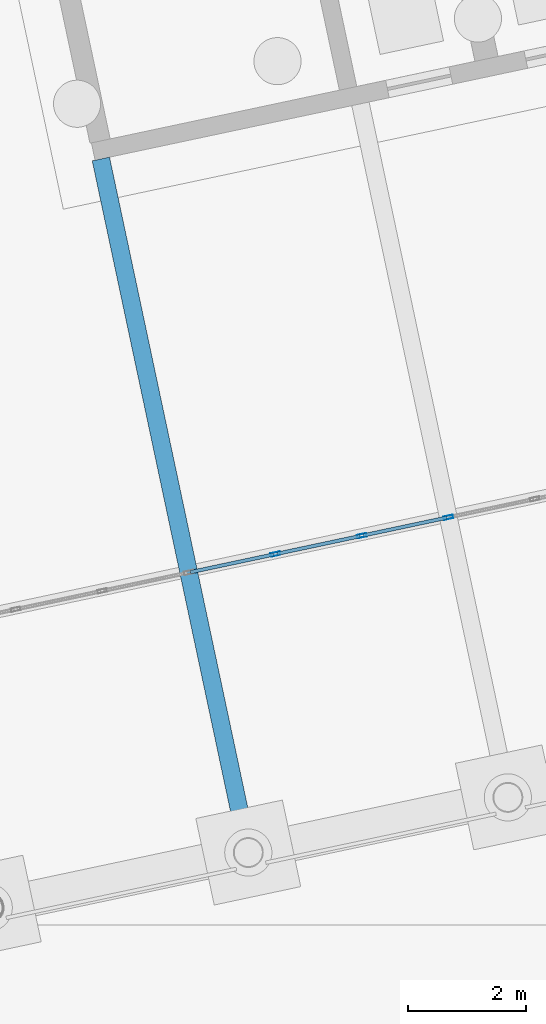
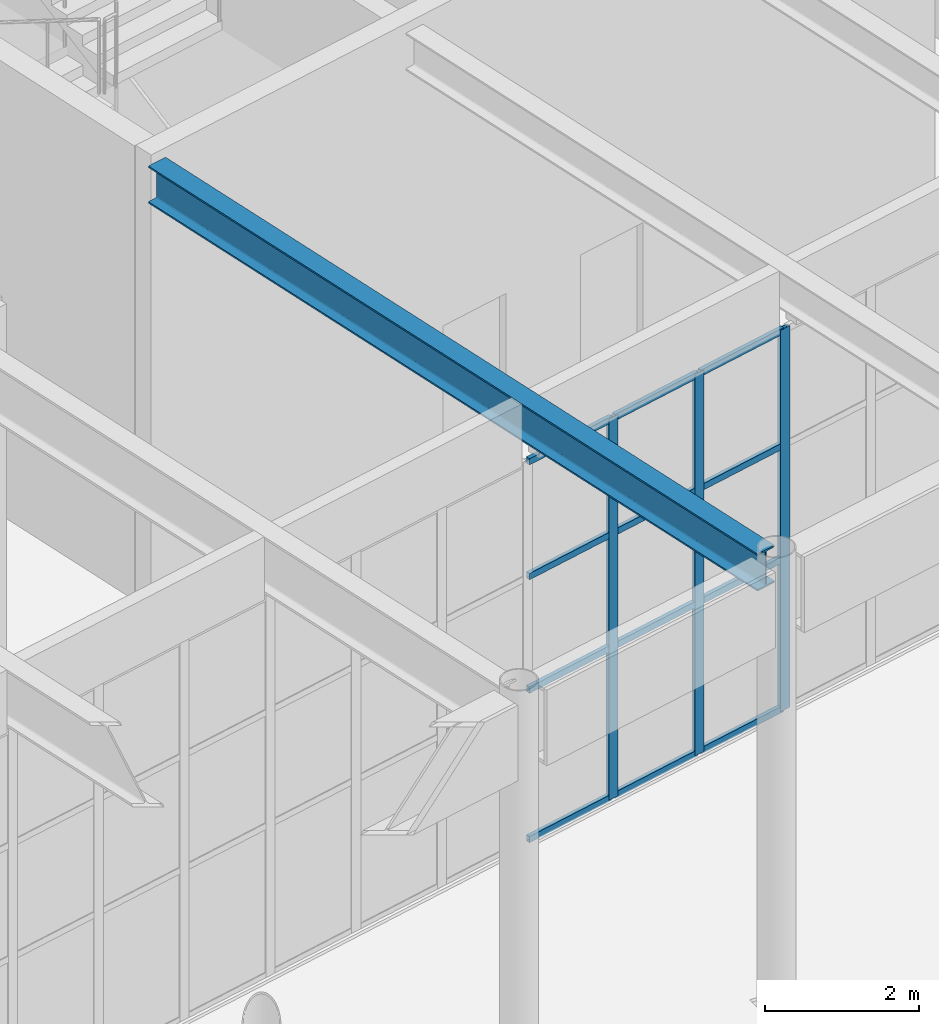
# One storey, part 61 of 239: 15 members, 1 beam, 1 element without a shape of its own.
"""IFC4 building model written with IfcOpenShell, lengths in metres."""

from ifc_helpers import new_model, si_unit, direction, frame, origin, origin_2d, place, context, subcontext, project, spatial, hollow_rectangle, i_section, extrude, material, material_profile, profile_set, type_object, element, aggregate, save


model = new_model("IFC4")

# Units and contexts
model_context = context("Model", 3, precision=1e-05, world=origin(), true_north=direction((0.0, 1.0)))
body_context = subcontext(model_context, "Body", "Model", "MODEL_VIEW")
ifc_project = project(units=[si_unit("LENGTHUNIT", "METRE"), si_unit("AREAUNIT", "SQUARE_METRE"), si_unit("VOLUMEUNIT", "CUBIC_METRE"), si_unit("PLANEANGLEUNIT", "RADIAN"), si_unit("MASSUNIT", "GRAM", prefix="KILO")], contexts=[model_context])

# Site, building, storey
site_placement = place(None, origin())
site = spatial("IfcSite", under=ifc_project, at=site_placement, CompositionType="ELEMENT")
building_placement = place(site_placement, origin())
building = spatial("IfcBuilding", under=site, at=building_placement, Name="Okhra Congress Centre", CompositionType="ELEMENT")
storey_placement = place(building_placement, origin())
storey = spatial("IfcBuildingStorey", under=building, at=storey_placement, Name="L00", CompositionType="ELEMENT", Elevation=0.0)

# Curtain wall, members
ifc_material_1 = material(Name="Aluminium curtain wall, triple glazing", Category="aluminium")
curtain_wall_type = type_object("IfcCurtainWallType", Name="Curtain wall 1500 module", PredefinedType="NOTDEFINED", material=ifc_material_1)
curtain_wall_placement = place(storey_placement, origin())
curtain_wall = element("IfcCurtainWall", 1, at=curtain_wall_placement, inside=storey, type_object=curtain_wall_type, Name="Ground curtain wall S2", PredefinedType="NOTDEFINED")
ifc_material_2 = material(Name="Aluminium alloy EN AW-6063 T66", Category="aluminium")
ifc_material_profile_1 = material_profile(ifc_material_2, hollow_rectangle(XDim=0.06005859375, YDim=0.159912109375, WallThickness=0.00390625, at=origin_2d()), Name="RHS 60x160x4")
ifc_profile_set_1 = profile_set([ifc_material_profile_1], Name="Aluminium alloy EN AW-6063 T66")
member_type_1 = type_object("IfcMemberType", Name="Curtain wall mullion 60x160", PredefinedType="MULLION", material=ifc_profile_set_1)
member_1_placement = place(storey_placement, frame((101.083740234375, 40.29052734375, 0.0), z_axis=(0.0, 0.0, 1.0), x_axis=(-0.207911690818, 0.978147600734, 0.0)))
member_1 = element("IfcMember", 2, at=member_1_placement, type_object=member_type_1, Name="CW7 mullion 9", PredefinedType="MULLION", context=body_context, shape_type="SweptSolid", body=[
    extrude(hollow_rectangle(XDim=0.06005859375, YDim=0.159912109375, WallThickness=0.00390625, at=origin_2d()), origin(), (0.0, 0.0, 1.0), 6.050048828125),
])
member_2_placement = place(storey_placement, frame((102.551025390625, 40.602294921875, 0.0), z_axis=(0.0, 0.0, 1.0), x_axis=(-0.207911690818, 0.978147600734, 0.0)))
member_2 = element("IfcMember", 3, at=member_2_placement, type_object=member_type_1, Name="CW7 mullion 10", PredefinedType="MULLION", context=body_context, shape_type="SweptSolid", body=[
    extrude(hollow_rectangle(XDim=0.06005859375, YDim=0.159912109375, WallThickness=0.00390625, at=origin_2d()), origin(), (0.0, 0.0, 1.0), 6.050048828125),
])
member_3_placement = place(storey_placement, frame((104.018310546875, 40.9140625, 0.0), z_axis=(0.0, 0.0, 1.0), x_axis=(-0.207911690818, 0.978147600734, 0.0)))
member_3 = element("IfcMember", 4, at=member_3_placement, type_object=member_type_1, Name="CW7 mullion 11", PredefinedType="MULLION", context=body_context, shape_type="SweptSolid", body=[
    extrude(hollow_rectangle(XDim=0.06005859375, YDim=0.159912109375, WallThickness=0.00390625, at=origin_2d()), origin(), (0.0, 0.0, 1.0), 6.050048828125),
])
ifc_material_profile_2 = material_profile(ifc_material_2, hollow_rectangle(XDim=0.06005859375, YDim=0.10009765625, WallThickness=0.00390625, at=origin_2d()), Name="RHS 60x100x4")
ifc_profile_set_2 = profile_set([ifc_material_profile_2], Name="Aluminium alloy EN AW-6063 T66")
member_type_2 = type_object("IfcMemberType", Name="Curtain wall transom 60x100", PredefinedType="USERDEFINED", material=ifc_profile_set_2)
member_4_placement = place(storey_placement, frame((99.64599609375, 39.98486328125, 0.030029296875), z_axis=(0.978155834385, 0.207872950764, 0.0), x_axis=(-0.207872950764, 0.978155834385, 0.0)))
member_4 = element("IfcMember", 5, at=member_4_placement, type_object=member_type_2, Name="CW7 transom 8.1", ObjectType="TRANSOM", PredefinedType="USERDEFINED", context=body_context, shape_type="SweptSolid", body=[
    extrude(hollow_rectangle(XDim=0.06005859375, YDim=0.10009765625, WallThickness=0.00390625, at=origin_2d()), origin(), (0.0, 0.0, 1.0), 1.43994140625),
])
member_5_placement = place(storey_placement, frame((99.64599609375, 39.98486328125, 2.39990234375), z_axis=(0.978155834385, 0.207872950764, 0.0), x_axis=(-0.207872950764, 0.978155834385, 0.0)))
member_5 = element("IfcMember", 6, at=member_5_placement, type_object=member_type_2, Name="CW7 transom 8.2", ObjectType="TRANSOM", PredefinedType="USERDEFINED", context=body_context, shape_type="SweptSolid", body=[
    extrude(hollow_rectangle(XDim=0.06005859375, YDim=0.10009765625, WallThickness=0.00390625, at=origin_2d()), origin(), (0.0, 0.0, 1.0), 1.43994140625),
])
member_6_placement = place(storey_placement, frame((99.64599609375, 39.98486328125, 4.199951171875), z_axis=(0.978155834385, 0.207872950764, 0.0), x_axis=(-0.207872950764, 0.978155834385, 0.0)))
member_6 = element("IfcMember", 7, at=member_6_placement, type_object=member_type_2, Name="CW7 transom 8.3", ObjectType="TRANSOM", PredefinedType="USERDEFINED", context=body_context, shape_type="SweptSolid", body=[
    extrude(hollow_rectangle(XDim=0.06005859375, YDim=0.10009765625, WallThickness=0.00390625, at=origin_2d()), origin(), (0.0, 0.0, 1.0), 1.43994140625),
])
member_7_placement = place(storey_placement, frame((99.64599609375, 39.98486328125, 6.02001953125), z_axis=(0.978155834385, 0.207872950764, 0.0), x_axis=(-0.207872950764, 0.978155834385, 0.0)))
member_7 = element("IfcMember", 8, at=member_7_placement, type_object=member_type_2, Name="CW7 transom 8.4", ObjectType="TRANSOM", PredefinedType="USERDEFINED", context=body_context, shape_type="SweptSolid", body=[
    extrude(hollow_rectangle(XDim=0.06005859375, YDim=0.10009765625, WallThickness=0.00390625, at=origin_2d()), origin(), (0.0, 0.0, 1.0), 1.43994140625),
])
member_8_placement = place(storey_placement, frame((101.113037109375, 40.296630859375, 0.030029296875), z_axis=(0.978163159179, 0.207838480616, 0.0), x_axis=(-0.207838480616, 0.978163159179, 0.0)))
member_8 = element("IfcMember", 9, at=member_8_placement, type_object=member_type_2, Name="CW7 transom 9.1", ObjectType="TRANSOM", PredefinedType="USERDEFINED", context=body_context, shape_type="SweptSolid", body=[
    extrude(hollow_rectangle(XDim=0.06005859375, YDim=0.10009765625, WallThickness=0.00390625, at=origin_2d()), origin(), (0.0, 0.0, 1.0), 1.440185546875),
])
member_9_placement = place(storey_placement, frame((101.113037109375, 40.296630859375, 2.39990234375), z_axis=(0.978163159179, 0.207838480616, 0.0), x_axis=(-0.207838480616, 0.978163159179, 0.0)))
member_9 = element("IfcMember", 10, at=member_9_placement, type_object=member_type_2, Name="CW7 transom 9.2", ObjectType="TRANSOM", PredefinedType="USERDEFINED", context=body_context, shape_type="SweptSolid", body=[
    extrude(hollow_rectangle(XDim=0.06005859375, YDim=0.10009765625, WallThickness=0.00390625, at=origin_2d()), origin(), (0.0, 0.0, 1.0), 1.440185546875),
])
member_10_placement = place(storey_placement, frame((101.113037109375, 40.296630859375, 4.199951171875), z_axis=(0.978163159179, 0.207838480616, 0.0), x_axis=(-0.207838480616, 0.978163159179, 0.0)))
member_10 = element("IfcMember", 11, at=member_10_placement, type_object=member_type_2, Name="CW7 transom 9.3", ObjectType="TRANSOM", PredefinedType="USERDEFINED", context=body_context, shape_type="SweptSolid", body=[
    extrude(hollow_rectangle(XDim=0.06005859375, YDim=0.10009765625, WallThickness=0.00390625, at=origin_2d()), origin(), (0.0, 0.0, 1.0), 1.440185546875),
])
member_11_placement = place(storey_placement, frame((101.113037109375, 40.296630859375, 6.02001953125), z_axis=(0.978163159179, 0.207838480616, 0.0), x_axis=(-0.207838480616, 0.978163159179, 0.0)))
member_11 = element("IfcMember", 12, at=member_11_placement, type_object=member_type_2, Name="CW7 transom 9.4", ObjectType="TRANSOM", PredefinedType="USERDEFINED", context=body_context, shape_type="SweptSolid", body=[
    extrude(hollow_rectangle(XDim=0.06005859375, YDim=0.10009765625, WallThickness=0.00390625, at=origin_2d()), origin(), (0.0, 0.0, 1.0), 1.440185546875),
])
member_12_placement = place(storey_placement, frame((102.580322265625, 40.608642578125, 0.030029296875), z_axis=(0.978155834385, 0.207872950764, 0.0), x_axis=(-0.207872950764, 0.978155834385, 0.0)))
member_12 = element("IfcMember", 13, at=member_12_placement, type_object=member_type_2, Name="CW7 transom 10.1", ObjectType="TRANSOM", PredefinedType="USERDEFINED", context=body_context, shape_type="SweptSolid", body=[
    extrude(hollow_rectangle(XDim=0.06005859375, YDim=0.10009765625, WallThickness=0.00390625, at=origin_2d()), origin(), (0.0, 0.0, 1.0), 1.43994140625),
])
member_13_placement = place(storey_placement, frame((102.580322265625, 40.608642578125, 2.39990234375), z_axis=(0.978155834385, 0.207872950764, 0.0), x_axis=(-0.207872950764, 0.978155834385, 0.0)))
member_13 = element("IfcMember", 14, at=member_13_placement, type_object=member_type_2, Name="CW7 transom 10.2", ObjectType="TRANSOM", PredefinedType="USERDEFINED", context=body_context, shape_type="SweptSolid", body=[
    extrude(hollow_rectangle(XDim=0.06005859375, YDim=0.10009765625, WallThickness=0.00390625, at=origin_2d()), origin(), (0.0, 0.0, 1.0), 1.43994140625),
])
member_14_placement = place(storey_placement, frame((102.580322265625, 40.608642578125, 4.199951171875), z_axis=(0.978155834385, 0.207872950764, 0.0), x_axis=(-0.207872950764, 0.978155834385, 0.0)))
member_14 = element("IfcMember", 15, at=member_14_placement, type_object=member_type_2, Name="CW7 transom 10.3", ObjectType="TRANSOM", PredefinedType="USERDEFINED", context=body_context, shape_type="SweptSolid", body=[
    extrude(hollow_rectangle(XDim=0.06005859375, YDim=0.10009765625, WallThickness=0.00390625, at=origin_2d()), origin(), (0.0, 0.0, 1.0), 1.43994140625),
])
member_15_placement = place(storey_placement, frame((102.580322265625, 40.608642578125, 6.02001953125), z_axis=(0.978155834385, 0.207872950764, 0.0), x_axis=(-0.207872950764, 0.978155834385, 0.0)))
member_15 = element("IfcMember", 16, at=member_15_placement, type_object=member_type_2, Name="CW7 transom 10.4", ObjectType="TRANSOM", PredefinedType="USERDEFINED", context=body_context, shape_type="SweptSolid", body=[
    extrude(hollow_rectangle(XDim=0.06005859375, YDim=0.10009765625, WallThickness=0.00390625, at=origin_2d()), origin(), (0.0, 0.0, 1.0), 1.43994140625),
])
aggregate(curtain_wall, [member_1, member_2, member_3, member_4, member_5, member_6, member_7, member_8, member_9, member_10, member_11, member_12, member_13, member_14, member_15])

# Beam
ifc_material_3 = material(Name="Steel S355J2", Category="steel")
ifc_material_profile_3 = material_profile(ifc_material_3, i_section(OverallWidth=0.300048828125, OverallDepth=0.590087890625, WebThickness=0.012939453125, FlangeThickness=0.02490234375, FilletRadius=0.027099609375, at=origin_2d()), Name="HE 600 A")
ifc_profile_set_3 = profile_set([ifc_material_profile_3], Name="Steel S355J2")
beam_type = type_object("IfcBeamType", Name="Floor beam HE 600 A", PredefinedType="BEAM", material=ifc_profile_set_3)
beam_placement = place(storey_placement, frame((100.58447265625, 35.42529296875, 6.7548828125), z_axis=(-0.207925671893, 0.97814462886, 0.0), x_axis=(-0.97814462886, -0.207925671893, 0.0)))
element("IfcBeam", 17, at=beam_placement, inside=storey, type_object=beam_type, Name="Floor beam 9.1", PredefinedType="BEAM", context=body_context, shape_type="SweptSolid", body=[
    extrude(i_section(OverallWidth=0.300048828125, OverallDepth=0.590087890625, WebThickness=0.012939453125, FlangeThickness=0.02490234375, FilletRadius=0.027099609375, at=origin_2d()), origin(), (0.0, 0.0, 1.0), 11.8251953125),
])

save(model, "model.ifc")
